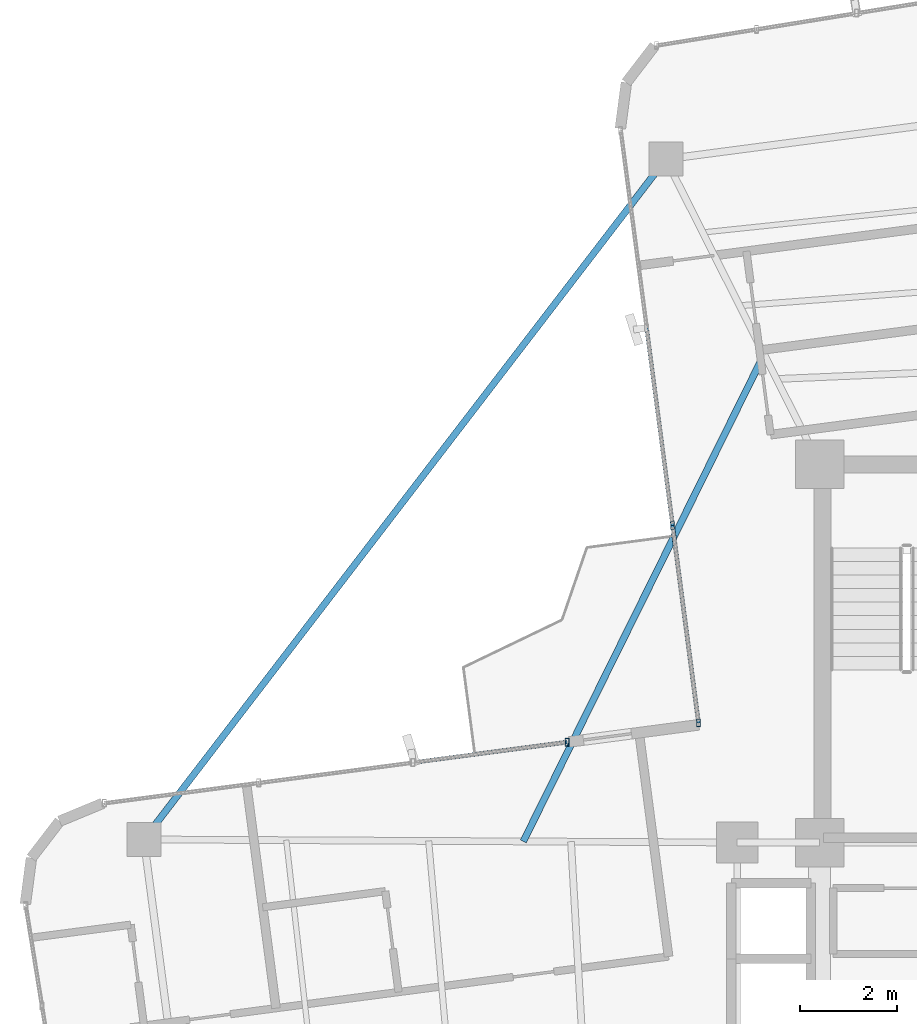
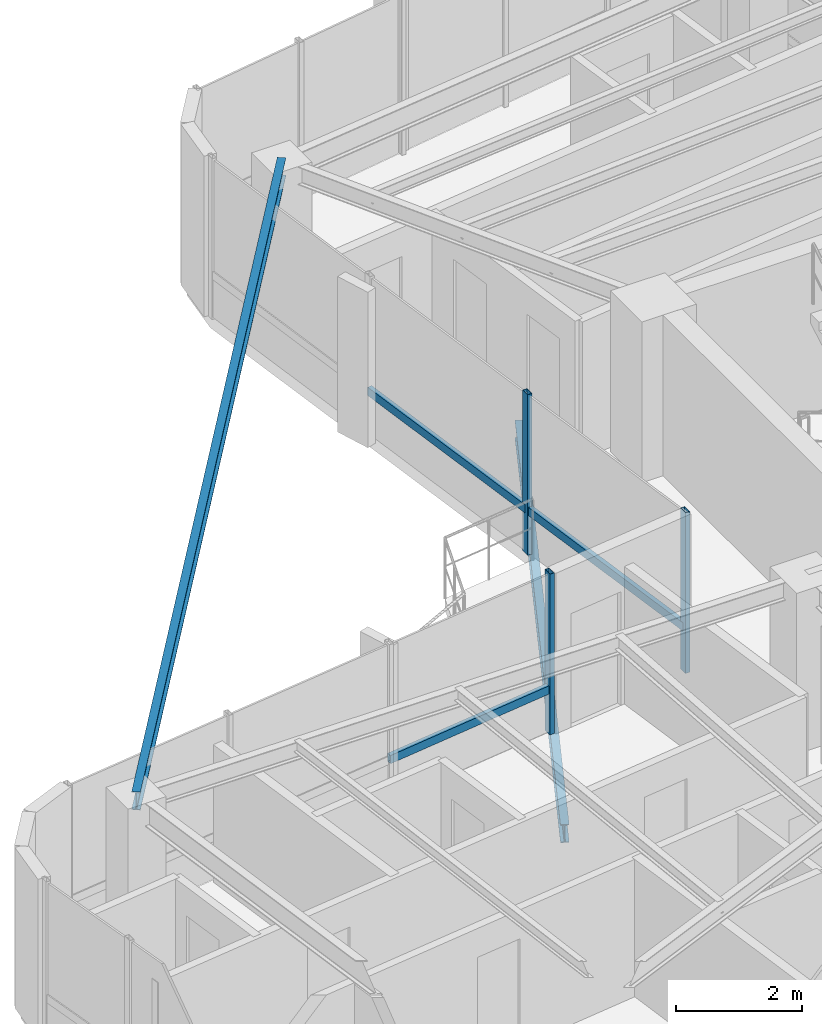
# One storey, part 9 of 23: 6 members, 2 beams, 2 elements without a shape of their own.
"""IFC4 building model written with IfcOpenShell, lengths in metres."""

from ifc_helpers import new_model, si_unit, direction, frame, origin, origin_2d, place, context, subcontext, project, spatial, hollow_rectangle, i_section, extrude, source, transform, mapped, material, material_profile, profile_set, type_object, element, aggregate, save


model = new_model("IFC4")

# Units and contexts
model_context = context("Model", 3, precision=1e-05, world=origin(), true_north=direction((0.0, 1.0)))
body_context = subcontext(model_context, "Body", "Model", "MODEL_VIEW")
ifc_project = project(units=[si_unit("LENGTHUNIT", "METRE"), si_unit("AREAUNIT", "SQUARE_METRE"), si_unit("VOLUMEUNIT", "CUBIC_METRE"), si_unit("PLANEANGLEUNIT", "RADIAN"), si_unit("MASSUNIT", "GRAM", prefix="KILO")], contexts=[model_context])

# Site, building, storey
site_placement = place(None, origin())
site = spatial("IfcSite", under=ifc_project, at=site_placement, CompositionType="ELEMENT")
building_placement = place(site_placement, origin())
building = spatial("IfcBuilding", under=site, at=building_placement, Name="Sahyath Konkavel Grand Hotel", CompositionType="ELEMENT")
storey_placement = place(building_placement, frame((0.0, 0.0, 251.199951171875)))
storey = spatial("IfcBuildingStorey", under=building, at=storey_placement, Name="L70", CompositionType="ELEMENT", Elevation=251.199951171875)

# Beam
ifc_material_1 = material(Name="Steel E350", Category="steel")
ifc_material_profile_1 = material_profile(ifc_material_1, i_section(OverallWidth=0.139892578125, OverallDepth=0.35009765625, WebThickness=0.008056640625, FlangeThickness=0.01416015625, FilletRadius=0.013916015625, at=origin_2d()), Name="ISMB 350")
ifc_profile_set_1 = profile_set([ifc_material_profile_1], Name="Steel E350")
beam_type_1 = type_object("IfcBeamType", Name="BM-ISMB350", PredefinedType="BEAM", material=ifc_profile_set_1)
shared_shape_1 = source(origin(), body_context, "Body", "SweptSolid", [
    extrude(i_section(OverallWidth=0.139892578125, OverallDepth=0.35009765625, WebThickness=0.008056640625, FlangeThickness=0.01416015625, FilletRadius=0.013916015625, at=origin_2d()), origin(), (0.0, 0.0, 1.0), 17.6904296875),
])
beam_1_placement = place(storey_placement, frame((-6.97119140625, 16.498291015625, 2.93505859375), z_axis=(-0.608749906055, -0.793362182031, 0.0), x_axis=(0.793362182031, -0.608749906055, 0.0)))
element("IfcBeam", 1, at=beam_1_placement, inside=storey, type_object=beam_type_1, Name="L70 Re-Entrant Tie Beam NW", PredefinedType="BEAM", context=body_context, shape_type="MappedRepresentation", body=[
    mapped(shared_shape_1, transform((0.0, 0.0, 0.0), scale=1.0)),
])

# Curtain wall, members
ifc_material_2 = material(Name="Anodised Bronze Aluminium & Low-E Glazing", Category="aluminium")
curtain_wall_type = type_object("IfcCurtainWallType", Name="CW-ZONE4", PredefinedType="NOTDEFINED", material=ifc_material_2)
curtain_wall_1_placement = place(storey_placement, origin())
curtain_wall_1 = element("IfcCurtainWall", 2, at=curtain_wall_1_placement, inside=storey, type_object=curtain_wall_type, Name="L70 Unitised Curtain Wall F15", PredefinedType="NOTDEFINED")
ifc_material_3 = material(Name="Anodised Bronze Aluminium", Category="aluminium")
ifc_material_profile_2 = material_profile(ifc_material_3, hollow_rectangle(XDim=0.080078125, YDim=0.159912109375, WallThickness=0.006103515625, at=origin_2d()), Name="RHS 160x80x6")
ifc_profile_set_2 = profile_set([ifc_material_profile_2], Name="Anodised Bronze Aluminium")
member_type_1 = type_object("IfcMemberType", Name="CW-MUL-160", PredefinedType="MULLION", material=ifc_profile_set_2)
shared_shape_2 = source(origin(), body_context, "Body", "SweptSolid", [
    extrude(hollow_rectangle(XDim=0.080078125, YDim=0.159912109375, WallThickness=0.006103515625, at=origin_2d()), origin(), (0.0, 0.0, 1.0), 3.110107421875),
])
member_1_placement = place(storey_placement, frame((-6.83349609375, 8.942138671875, 0.0), z_axis=(0.0, 0.0, 1.0), x_axis=(1.0, 0.0, 0.0)))
member_1 = element("IfcMember", 3, at=member_1_placement, type_object=member_type_1, Name="L70 Curtain Wall Mullion F15-2", PredefinedType="MULLION", context=body_context, shape_type="MappedRepresentation", body=[
    mapped(shared_shape_2, transform((0.0, 0.0, 0.0), scale=1.0)),
])
member_2_placement = place(storey_placement, frame((-6.297119140625, 4.86767578125, 0.0), z_axis=(0.0, 0.0, 1.0), x_axis=(1.0, 0.0, 0.0)))
member_2 = element("IfcMember", 4, at=member_2_placement, type_object=member_type_1, Name="L70 Curtain Wall Mullion F15-3", PredefinedType="MULLION", context=body_context, shape_type="MappedRepresentation", body=[
    mapped(shared_shape_2, transform((0.0, 0.0, 0.0), scale=1.0)),
])

curtain_wall_2_placement = place(storey_placement, origin())
curtain_wall_2 = element("IfcCurtainWall", 5, at=curtain_wall_2_placement, inside=storey, type_object=curtain_wall_type, Name="L70 Unitised Curtain Wall F16", PredefinedType="NOTDEFINED")
member_3_placement = place(storey_placement, frame((-9.008544921875, 4.470458984375, 0.0), z_axis=(0.0, 0.0, 1.0), x_axis=(1.0, 0.0, 0.0)))
member_3 = element("IfcMember", 6, at=member_3_placement, type_object=member_type_1, Name="L70 Curtain Wall Mullion F16-0", PredefinedType="MULLION", context=body_context, shape_type="MappedRepresentation", body=[
    mapped(shared_shape_2, transform((0.0, 0.0, 0.0), scale=1.0)),
])
ifc_material_profile_3 = material_profile(ifc_material_3, hollow_rectangle(XDim=0.080078125, YDim=0.159912109375, WallThickness=0.006103515625, at=origin_2d()), Name="RHS 160x80x6")
ifc_profile_set_3 = profile_set([ifc_material_profile_3], Name="Anodised Bronze Aluminium")
member_type_2 = type_object("IfcMemberType", Name="CW-TRN-160", PredefinedType="USERDEFINED", material=ifc_profile_set_3)
shared_shape_3 = source(origin(), body_context, "Body", "SweptSolid", [
    extrude(hollow_rectangle(XDim=0.080078125, YDim=0.159912109375, WallThickness=0.006103515625, at=origin_2d()), origin(), (0.0, 0.0, 1.0), 3.209716796875),
])
member_4_placement = place(storey_placement, frame((-9.008544921875, 4.470458984375, 0.85009765625), z_axis=(-0.991445750226, -0.130519440536, 0.0), x_axis=(0.130519440536, -0.991445750226, 0.0)))
member_4 = element("IfcMember", 7, at=member_4_placement, type_object=member_type_2, Name="L70 Curtain Wall Transom F16-0-spandrel", ObjectType="TRANSOM", PredefinedType="USERDEFINED", context=body_context, shape_type="MappedRepresentation", body=[
    mapped(shared_shape_3, transform((0.0, 0.0, 0.0), scale=1.0)),
])
aggregate(curtain_wall_2, [member_3, member_4])

# Member
shared_shape_4 = source(origin(), body_context, "Body", "SweptSolid", [
    extrude(hollow_rectangle(XDim=0.080078125, YDim=0.159912109375, WallThickness=0.006103515625, at=origin_2d()), origin(), (0.0, 0.0, 1.0), 4.109619140625),
])
member_5_placement = place(storey_placement, frame((-7.3701171875, 13.0166015625, 0.85009765625), z_axis=(0.130575913156, -0.99143831422, 0.0), x_axis=(0.99143831422, 0.130575913156, 0.0)))
member_5 = element("IfcMember", 8, at=member_5_placement, type_object=member_type_2, Name="L70 Curtain Wall Transom F15-1-spandrel", ObjectType="TRANSOM", PredefinedType="USERDEFINED", context=body_context, shape_type="MappedRepresentation", body=[
    mapped(shared_shape_4, transform((0.0, 0.0, 0.0), scale=1.0)),
])

member_6_placement = place(storey_placement, frame((-6.83349609375, 8.942138671875, 0.85009765625), z_axis=(0.130517518671, -0.99144600323, 0.0), x_axis=(0.99144600323, 0.130517518671, 0.0)))
member_6 = element("IfcMember", 9, at=member_6_placement, type_object=member_type_2, Name="L70 Curtain Wall Transom F15-2-spandrel", ObjectType="TRANSOM", PredefinedType="USERDEFINED", context=body_context, shape_type="MappedRepresentation", body=[
    mapped(shared_shape_4, transform((0.0, 0.0, 0.0), scale=1.0)),
])

aggregate(curtain_wall_1, [member_1, member_2, member_5, member_6])

# Beam
ifc_material_profile_4 = material_profile(ifc_material_1, i_section(OverallWidth=0.139892578125, OverallDepth=0.35009765625, WebThickness=0.008056640625, FlangeThickness=0.01416015625, FilletRadius=0.013916015625, at=origin_2d()), Name="ISMB 350")
ifc_profile_set_4 = profile_set([ifc_material_profile_4], Name="Steel E350")
beam_type_2 = type_object("IfcBeamType", Name="BM-BALC-CANT", PredefinedType="BEAM", material=ifc_profile_set_4)
shared_shape_5 = source(origin(), body_context, "Body", "SweptSolid", [
    extrude(i_section(OverallWidth=0.139892578125, OverallDepth=0.35009765625, WebThickness=0.008056640625, FlangeThickness=0.01416015625, FilletRadius=0.013916015625, at=origin_2d()), origin(), (0.0, 0.0, 1.0), 11.20849609375),
])
beam_2_placement = place(storey_placement, frame((-4.944091796875, 12.4716796875, -0.4150390625), z_axis=(-0.443175034558, -0.89643510013, 0.0), x_axis=(0.89643510013, -0.443175034558, 0.0)))
element("IfcBeam", 10, at=beam_2_placement, inside=storey, type_object=beam_type_2, Name="L70 Balcony Cantilever Support Beam NW", PredefinedType="BEAM", context=body_context, shape_type="MappedRepresentation", body=[
    mapped(shared_shape_5, transform((0.0, 0.0, 0.0), scale=1.0)),
])

save(model, "model.ifc")
